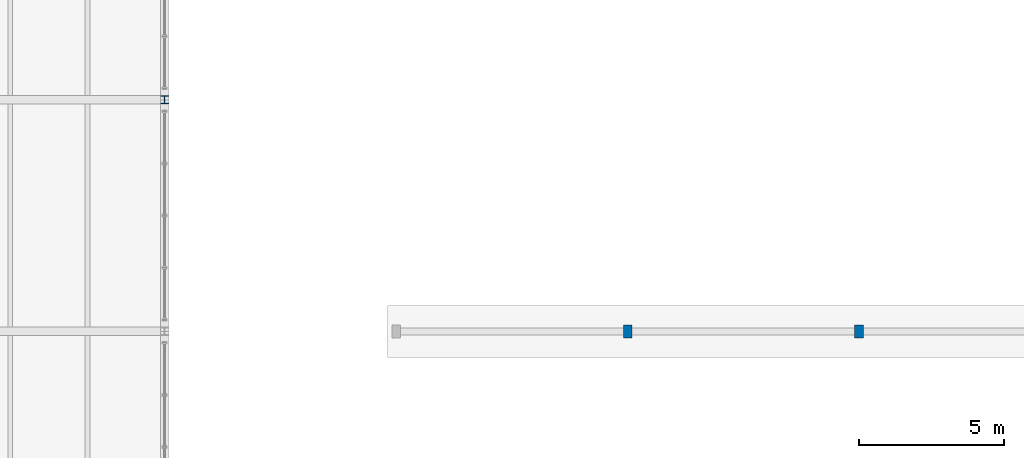
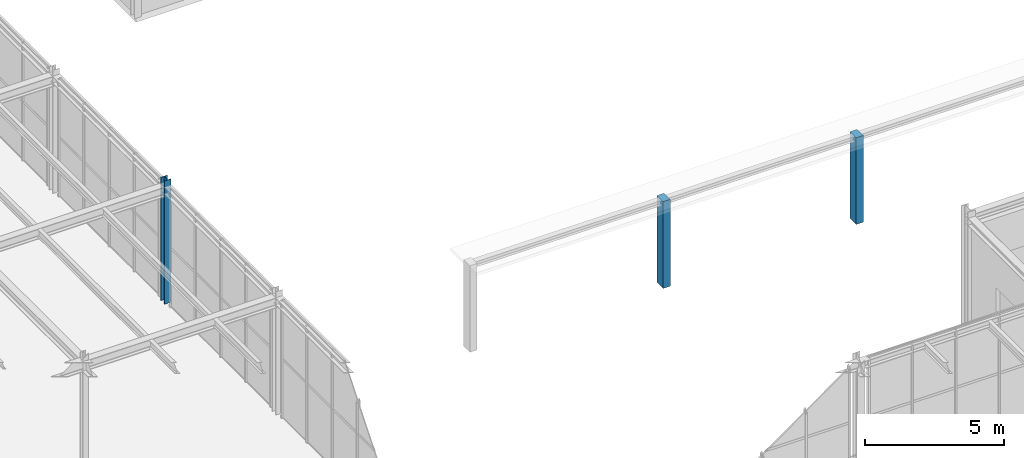
# One storey, part 9 of 129: 3 columns.
"""IFC4 building model written with IfcOpenShell, lengths in metres."""

from ifc_helpers import new_model, si_unit, direction, frame, origin, origin_2d, place, context, subcontext, project, spatial, rectangle, i_section, extrude, material, material_profile, profile_set, type_object, element, save


model = new_model("IFC4")

# Units and contexts
model_context = context("Model", 3, precision=1e-05, world=origin(), true_north=direction((0.0, 1.0)))
body_context = subcontext(model_context, "Body", "Model", "MODEL_VIEW")
ifc_project = project(units=[si_unit("LENGTHUNIT", "METRE"), si_unit("AREAUNIT", "SQUARE_METRE"), si_unit("VOLUMEUNIT", "CUBIC_METRE"), si_unit("PLANEANGLEUNIT", "RADIAN"), si_unit("MASSUNIT", "GRAM", prefix="KILO")], contexts=[model_context])

# Site, building, storey
site_placement = place(None, origin())
site = spatial("IfcSite", under=ifc_project, at=site_placement, CompositionType="ELEMENT")
building_placement = place(site_placement, origin())
building = spatial("IfcBuilding", under=site, at=building_placement, Name="Sundkrona Museum", CompositionType="ELEMENT")
storey_placement = place(building_placement, origin())
storey = spatial("IfcBuildingStorey", under=building, at=storey_placement, Name="L00", CompositionType="ELEMENT", Elevation=0.0)

# Columns
ifc_material_1 = material(Name="Steel S355J2", Category="steel")
ifc_material_profile_1 = material_profile(ifc_material_1, i_section(OverallWidth=0.280029296875, OverallDepth=0.280029296875, WebThickness=0.010498046875, FlangeThickness=0.01806640625, FilletRadius=0.02392578125, at=origin_2d()), Name="HEB 280")
ifc_profile_set_1 = profile_set([ifc_material_profile_1], Name="Steel S355J2")
column_type_1 = type_object("IfcColumnType", Name="C-HEB280", PredefinedType="COLUMN", material=ifc_profile_set_1)
column_placement = place(storey_placement, frame((96.0, 62.0, 0.0), z_axis=(0.0, 0.0, 1.0), x_axis=(1.0, 0.0, 0.0)))
element("IfcColumn", 1, at=column_placement, inside=storey, type_object=column_type_1, Name="L00 Column J/13", PredefinedType="COLUMN", context=body_context, shape_type="SweptSolid", body=[
    extrude(i_section(OverallWidth=0.280029296875, OverallDepth=0.280029296875, WebThickness=0.010498046875, FlangeThickness=0.01806640625, FilletRadius=0.02392578125, at=origin_2d()), origin(), (0.0, 0.0, 1.0), 5.39990234375),
])
ifc_material_2 = material(Name="Concrete C40/50", Category="concrete")
ifc_material_profile_2 = material_profile(ifc_material_2, rectangle(XDim=0.300048828125, YDim=0.449951171875, at=origin_2d()), Name="RC 450x300")
ifc_profile_set_2 = profile_set([ifc_material_profile_2], Name="Concrete C40/50")
column_type_2 = type_object("IfcColumnType", Name="PIL-450", PredefinedType="PILASTER", material=ifc_profile_set_2)
for number, where, z_axis, x_axis, name in (
    (2, (112.0, 54.0, 0.0), (0.0, 0.0, 1.0), (1.0, 0.0, 0.0), "Courtyard Cloister Pilaster PF-SC-02"),
    (3, (120.0, 54.0, 0.0), (0.0, 0.0, 1.0), (1.0, 0.0, 0.0), "Courtyard Cloister Pilaster PF-SC-03"),
):
    element("IfcColumn", number, at=place(storey_placement, frame(where, z_axis=z_axis, x_axis=x_axis)), inside=storey, type_object=column_type_2, Name=name, PredefinedType="PILASTER", context=body_context, shape_type="SweptSolid", body=[
        extrude(rectangle(XDim=0.300048828125, YDim=0.449951171875, at=origin_2d()), origin(), (0.0, 0.0, 1.0), 3.800048828125),
    ])

save(model, "model.ifc")
